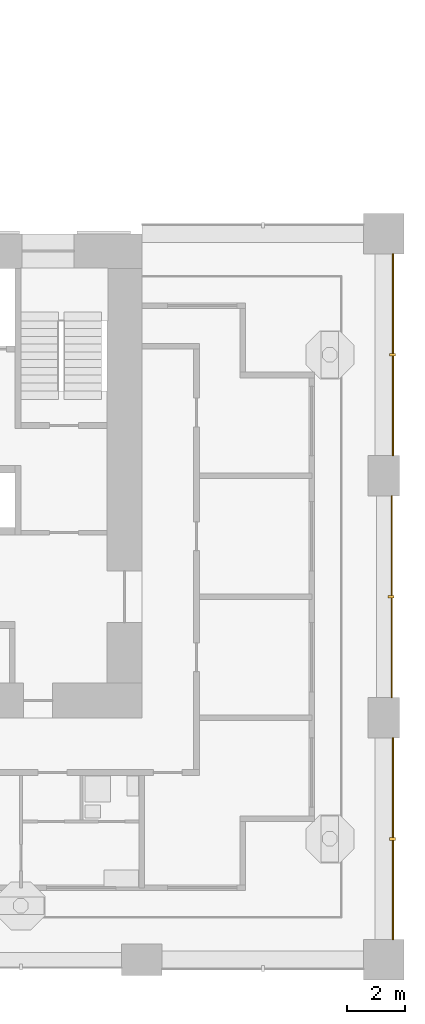
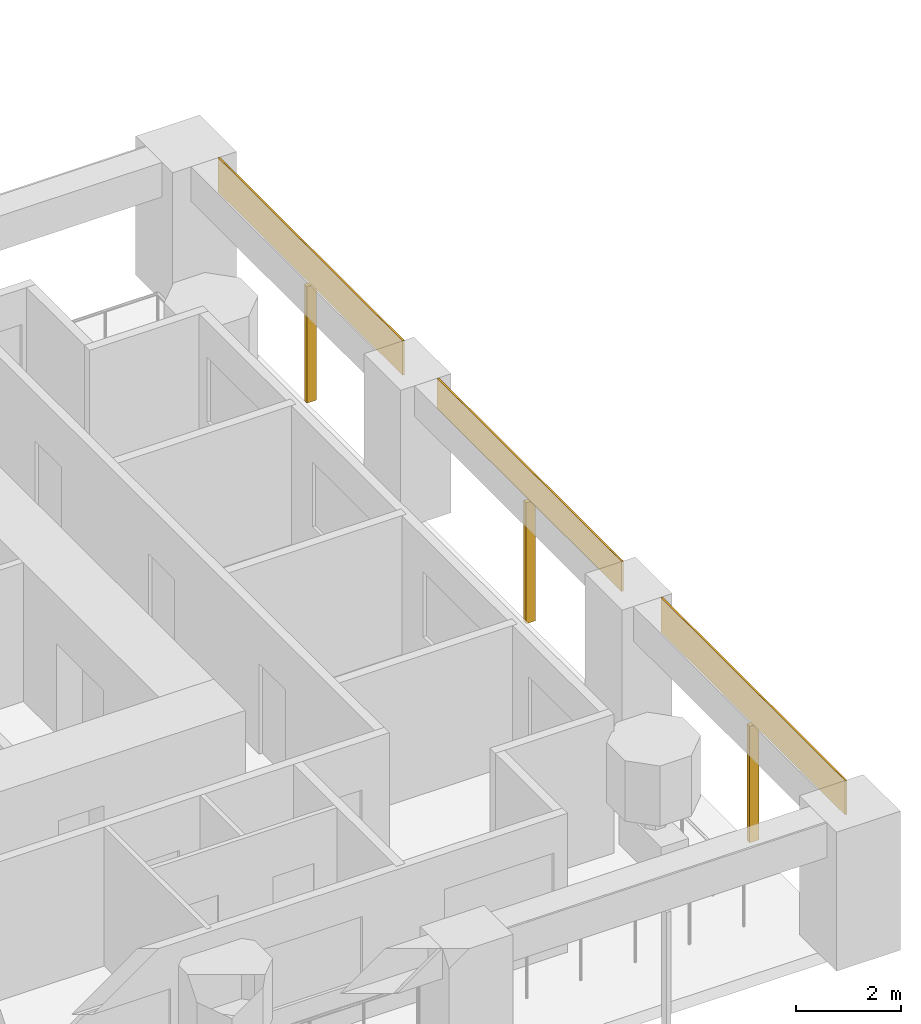
# One storey, part 16 of 19: 6 shading devices.
"""IFC4 building model written with IfcOpenShell, lengths in metres."""

from ifc_helpers import new_model, si_unit, direction, frame, origin, origin_2d, place, context, subcontext, project, spatial, rectangle, extrude, material, layer, layer_set, material_profile, profile_set, type_object, element, save


model = new_model("IFC4")

# Units and contexts
model_context = context("Model", 3, precision=1e-05, world=origin(), true_north=direction((0.0, 1.0)))
body_context = subcontext(model_context, "Body", "Model", "MODEL_VIEW")
ifc_project = project(units=[si_unit("LENGTHUNIT", "METRE"), si_unit("AREAUNIT", "SQUARE_METRE"), si_unit("VOLUMEUNIT", "CUBIC_METRE"), si_unit("PLANEANGLEUNIT", "RADIAN"), si_unit("MASSUNIT", "GRAM", prefix="KILO")], contexts=[model_context])

# Site, building, storey
site_placement = place(None, origin())
site = spatial("IfcSite", under=ifc_project, at=site_placement, CompositionType="ELEMENT")
building_placement = place(site_placement, origin())
building = spatial("IfcBuilding", under=site, at=building_placement, Name="Vermilion Gate Residences", CompositionType="ELEMENT")
storey_placement = place(building_placement, frame((0.0, 0.0, 32.199951171875)))
storey = spatial("IfcBuildingStorey", under=building, at=storey_placement, Name="L06", CompositionType="ELEMENT", Elevation=32.199951171875)

# Shading devices
ifc_material_1 = material(Name="Perforated terracotta", Category="masonry")
ifc_layer = layer(ifc_material_1, 0.0400390625)
ifc_layer_set = layer_set([ifc_layer], Name="PERFORATED TERRACOTTA SCREEN 40")
shading_device_type_1 = type_object("IfcShadingDeviceType", Name="PERFORATED TERRACOTTA SCREEN 40", PredefinedType="SHUTTER", material=ifc_layer_set)
shading_device_1_placement = place(storey_placement, frame((67.52001953125, 4.199951171875, 2.419921875), z_axis=(0.0, 0.0, 1.0), x_axis=(0.0, 1.0, 0.0)))
element("IfcShadingDevice", 1, at=shading_device_1_placement, inside=storey, type_object=shading_device_type_1, Name="SCREEN", PredefinedType="SHUTTER", context=body_context, shape_type="SweptSolid", body=[
    extrude(rectangle(XDim=7.0, YDim=0.0400390625, at=origin_2d()), origin(), (0.0, 0.0, 1.0), 0.800048828125),
])
shading_device_2_placement = place(storey_placement, frame((67.469970703125, 12.60009765625, 2.52001953125), z_axis=(0.0, 0.0, 1.0), x_axis=(0.0, 1.0, 0.0)))
element("IfcShadingDevice", 2, at=shading_device_2_placement, inside=storey, type_object=shading_device_type_1, Name="SCREEN", PredefinedType="SHUTTER", context=body_context, shape_type="SweptSolid", body=[
    extrude(rectangle(XDim=7.0, YDim=0.0400390625, at=origin_2d()), origin(), (0.0, 0.0, 1.0), 0.699951171875),
])
shading_device_3_placement = place(storey_placement, frame((67.52001953125, 21.0, 2.419921875), z_axis=(0.0, 0.0, 1.0), x_axis=(0.0, 1.0, 0.0)))
element("IfcShadingDevice", 3, at=shading_device_3_placement, inside=storey, type_object=shading_device_type_1, Name="SCREEN", PredefinedType="SHUTTER", context=body_context, shape_type="SweptSolid", body=[
    extrude(rectangle(XDim=7.0, YDim=0.0400390625, at=origin_2d()), origin(), (0.0, 0.0, 1.0), 0.800048828125),
])
ifc_material_2 = material(Name="Extruded terracotta", Category="masonry")
ifc_material_profile = material_profile(ifc_material_2, rectangle(XDim=0.199951171875, YDim=0.10009765625, at=origin_2d()), Name="BAGUETTE 100 X 200")
ifc_profile_set = profile_set([ifc_material_profile], Name="Extruded terracotta")
shading_device_type_2 = type_object("IfcShadingDeviceType", Name="TERRACOTTA BAGUETTE 100 X 200", PredefinedType="JALOUSIE", material=ifc_profile_set)
shading_device_4_placement = place(storey_placement, frame((67.5, 4.199951171875, -0.280029296875), z_axis=(0.0, 0.0, 1.0), x_axis=(-1.0, 0.0, 0.0)))
element("IfcShadingDevice", 4, at=shading_device_4_placement, inside=storey, type_object=shading_device_type_2, Name="BAGUETTE", PredefinedType="JALOUSIE", context=body_context, shape_type="SweptSolid", body=[
    extrude(rectangle(XDim=0.199951171875, YDim=0.10009765625, at=origin_2d()), origin(), (0.0, 0.0, 1.0), 2.7001953125),
])
shading_device_5_placement = place(storey_placement, frame((67.449951171875, 12.60009765625, -0.280029296875), z_axis=(0.0, 0.0, 1.0), x_axis=(-1.0, 0.0, 0.0)))
element("IfcShadingDevice", 5, at=shading_device_5_placement, inside=storey, type_object=shading_device_type_2, Name="BAGUETTE", PredefinedType="JALOUSIE", context=body_context, shape_type="SweptSolid", body=[
    extrude(rectangle(XDim=0.199951171875, YDim=0.10009765625, at=origin_2d()), origin(), (0.0, 0.0, 1.0), 2.800048828125),
])
shading_device_6_placement = place(storey_placement, frame((67.5, 21.0, -0.280029296875), z_axis=(0.0, 0.0, 1.0), x_axis=(-1.0, 0.0, 0.0)))
element("IfcShadingDevice", 6, at=shading_device_6_placement, inside=storey, type_object=shading_device_type_2, Name="BAGUETTE", PredefinedType="JALOUSIE", context=body_context, shape_type="SweptSolid", body=[
    extrude(rectangle(XDim=0.199951171875, YDim=0.10009765625, at=origin_2d()), origin(), (0.0, 0.0, 1.0), 2.7001953125),
])

save(model, "model.ifc")
